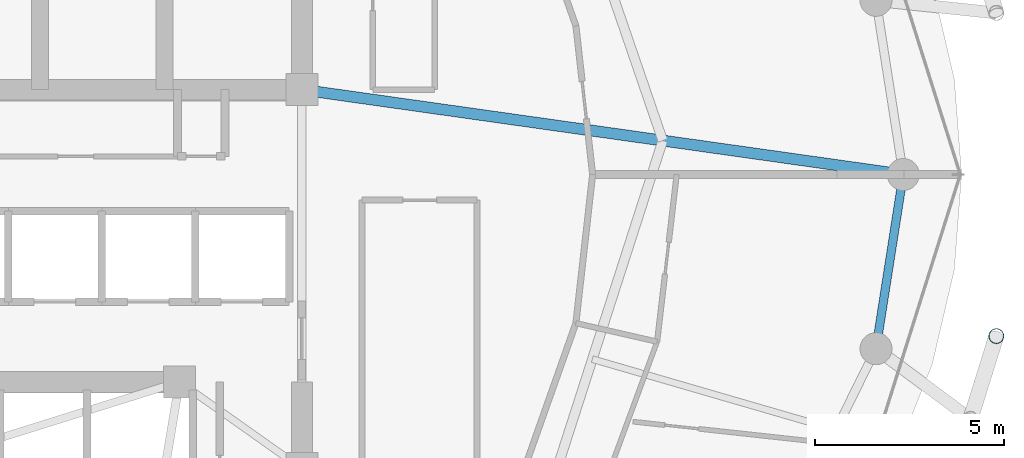
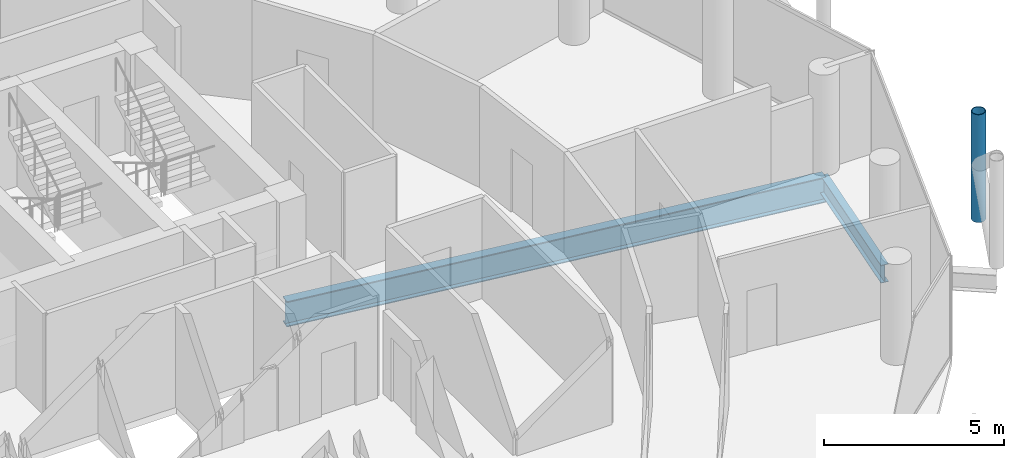
# One storey, part 14 of 28: 2 beams, 1 member.
"""IFC4 building model written with IfcOpenShell, lengths in metres."""

from ifc_helpers import new_model, si_unit, direction, frame, origin, origin_2d, place, context, subcontext, project, spatial, hollow_circle, i_section, extrude, material, material_profile, profile_set, type_object, element, save


model = new_model("IFC4")

# Units and contexts
model_context = context("Model", 3, precision=1e-05, world=origin(), true_north=direction((0.0, 1.0)))
body_context = subcontext(model_context, "Body", "Model", "MODEL_VIEW")
ifc_project = project(units=[si_unit("LENGTHUNIT", "METRE"), si_unit("AREAUNIT", "SQUARE_METRE"), si_unit("VOLUMEUNIT", "CUBIC_METRE"), si_unit("PLANEANGLEUNIT", "RADIAN"), si_unit("MASSUNIT", "GRAM", prefix="KILO")], contexts=[model_context])

# Site, building, storey
site_placement = place(None, origin())
site = spatial("IfcSite", under=ifc_project, at=site_placement, CompositionType="ELEMENT")
building_placement = place(site_placement, origin())
building = spatial("IfcBuilding", under=site, at=building_placement, Name="Nuhasar Tower", CompositionType="ELEMENT")
storey_placement = place(building_placement, frame((0.0, 0.0, 222.75)))
storey = spatial("IfcBuildingStorey", under=building, at=storey_placement, Name="L54", CompositionType="ELEMENT", Elevation=222.75)

# Beams
ifc_material_1 = material(Name="Steel S355", Category="steel")
ifc_material_profile_1 = material_profile(ifc_material_1, i_section(OverallWidth=0.2919921875, OverallDepth=0.85888671875, WebThickness=0.01708984375, FlangeThickness=0.031005859375, at=origin_2d()), Name="W33X169")
ifc_profile_set_1 = profile_set([ifc_material_profile_1], Name="Steel S355")
beam_type_1 = type_object("IfcBeamType", Name="BM-POD-W33X169", PredefinedType="BEAM", material=ifc_profile_set_1)
beam_1_placement = place(storey_placement, frame((44.300048828125, 29.050048828125, -0.6689453125), z_axis=(0.990196233464, -0.139683281866, 0.0), x_axis=(0.139683281866, 0.990196233464, 0.0)))
element("IfcBeam", 1, at=beam_1_placement, inside=storey, type_object=beam_type_1, Name="L54 Radial Floor Girder 04", PredefinedType="BEAM", context=body_context, shape_type="SweptSolid", body=[
    extrude(i_section(OverallWidth=0.2919921875, OverallDepth=0.85888671875, WebThickness=0.01708984375, FlangeThickness=0.031005859375, at=origin_2d()), origin(), (0.0, 0.0, 1.0), 16.10791015625),
])
ifc_material_profile_2 = material_profile(ifc_material_1, i_section(OverallWidth=0.22802734375, OverallDepth=0.60791015625, WebThickness=0.01123046875, FlangeThickness=0.017333984375, at=origin_2d()), Name="W24X76")
ifc_profile_set_2 = profile_set([ifc_material_profile_2], Name="Steel S355")
beam_type_2 = type_object("IfcBeamType", Name="BM-RING-W24X76", PredefinedType="SPANDREL", material=ifc_profile_set_2)
beam_2_placement = place(storey_placement, frame((59.52587890625, 22.179931640625, -0.5439453125), z_axis=(0.154841886404, 0.987939264436, 0.0), x_axis=(-0.987939264436, 0.154841886404, 0.0)))
element("IfcBeam", 2, at=beam_2_placement, inside=storey, type_object=beam_type_2, Name="L54 Perimeter Ring Spandrel 24", PredefinedType="SPANDREL", context=body_context, shape_type="SweptSolid", body=[
    extrude(i_section(OverallWidth=0.22802734375, OverallDepth=0.60791015625, WebThickness=0.01123046875, FlangeThickness=0.017333984375, at=origin_2d()), origin(), (0.0, 0.0, 1.0), 4.676513671875),
])

# Member
ifc_material_2 = material(Name="Steel S460", Category="steel")
ifc_material_profile_3 = material_profile(ifc_material_2, hollow_circle(Radius=0.203125, WallThickness=0.01904296875, at=origin_2d()), Name="HSS406.4X19.1")
ifc_profile_set_3 = profile_set([ifc_material_profile_3], Name="Steel S460")
member_type = type_object("IfcMemberType", Name="EXO-BRONZE-406", PredefinedType="BRACE", material=ifc_profile_set_3)
member_placement = place(storey_placement, frame((62.718017578125, 22.513916015625, 0.0), z_axis=(0.0, 0.0, 1.0), x_axis=(1.0, 0.0, 0.0)))
element("IfcMember", 3, at=member_placement, inside=storey, type_object=member_type, Name="L54 Exoskeleton Chord Column EC-12B", PredefinedType="BRACE", context=body_context, shape_type="SweptSolid", body=[
    extrude(hollow_circle(Radius=0.203125, WallThickness=0.01904296875, at=origin_2d()), origin(), (0.0, 0.0, 1.0), 3.64990234375),
])

save(model, "model.ifc")
